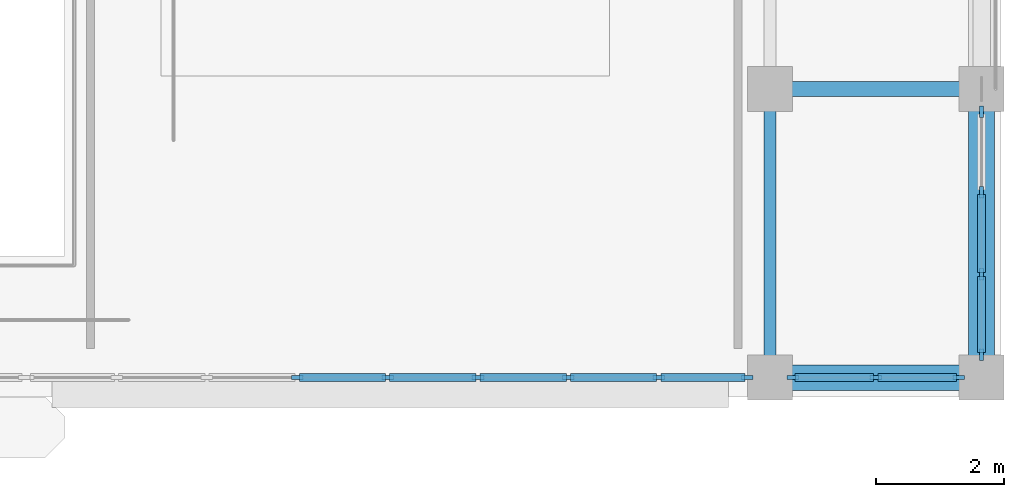
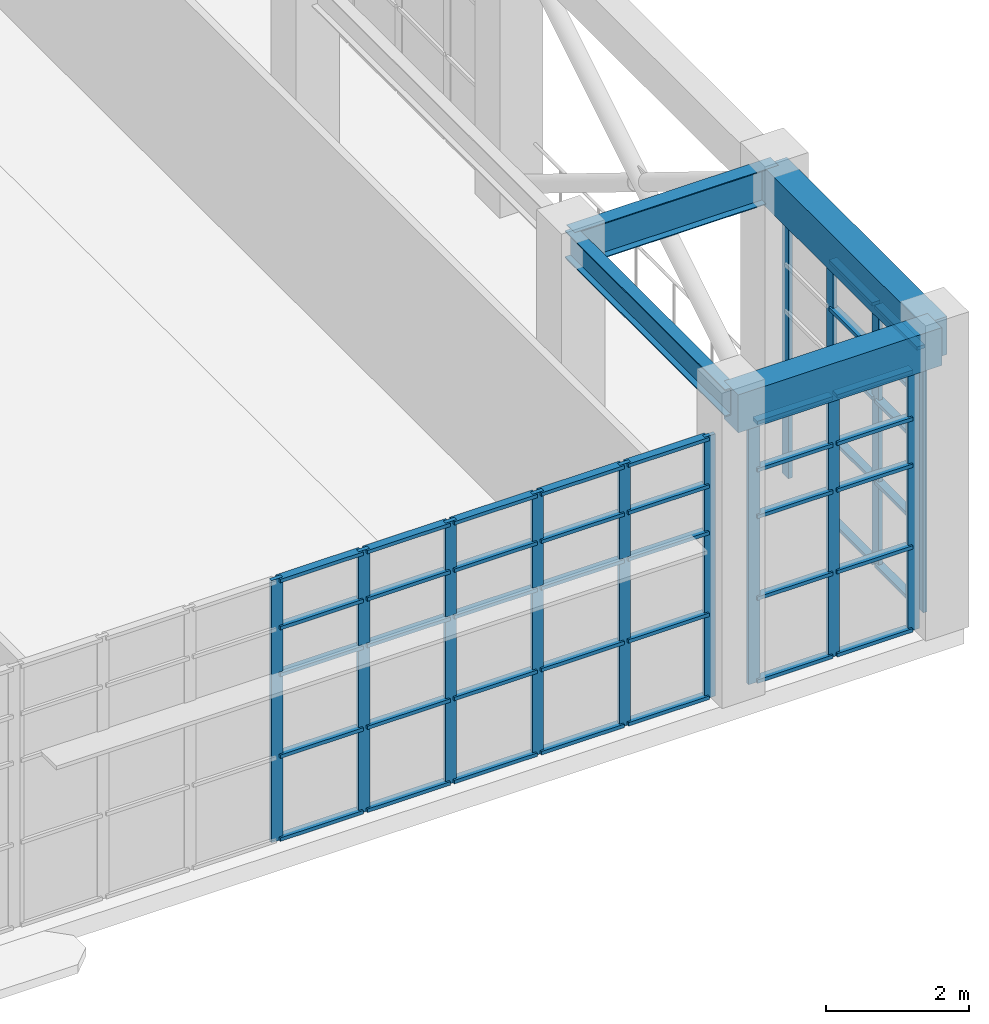
# One storey, part 40 of 103: 58 members, 4 beams, 3 elements without a shape of their own.
"""IFC4 building model written with IfcOpenShell, lengths in metres."""

from ifc_helpers import new_model, si_unit, direction, frame, origin, origin_2d, place, context, subcontext, project, spatial, rectangle, i_section, extrude, material, layer, layer_set, material_profile, profile_set, type_object, element, aggregate, save


model = new_model("IFC4")

# Units and contexts
model_context = context("Model", 3, precision=1e-05, world=origin(), true_north=direction((0.0, 1.0)))
body_context = subcontext(model_context, "Body", "Model", "MODEL_VIEW")
ifc_project = project(units=[si_unit("LENGTHUNIT", "METRE"), si_unit("AREAUNIT", "SQUARE_METRE"), si_unit("VOLUMEUNIT", "CUBIC_METRE"), si_unit("PLANEANGLEUNIT", "RADIAN"), si_unit("MASSUNIT", "GRAM", prefix="KILO")], contexts=[model_context])

# Site, building, storey
site_placement = place(None, origin())
site = spatial("IfcSite", under=ifc_project, at=site_placement, CompositionType="ELEMENT")
building_placement = place(site_placement, origin())
building = spatial("IfcBuilding", under=site, at=building_placement, Name="Candilejo Ridge Gondola Terminal", CompositionType="ELEMENT")
storey_placement = place(building_placement, frame((0.0, 0.0, 9.0)))
storey = spatial("IfcBuildingStorey", under=building, at=storey_placement, Name="L02", CompositionType="ELEMENT", Elevation=9.0)

# Curtain wall, members
ifc_material_1 = material(Name="Anodised aluminium AA 6063-T6", Category="aluminium")
ifc_layer_1 = layer(ifc_material_1, 0.169921875)
ifc_layer_set_1 = layer_set([ifc_layer_1], Name="ARC-CW-HALL-3800-385X449")
curtain_wall_type_1 = type_object("IfcCurtainWallType", Name="ARC-CW-HALL-3800-385X449", PredefinedType="NOTDEFINED", material=ifc_layer_set_1)
curtain_wall_1_placement = place(storey_placement, origin())
curtain_wall_1 = element("IfcCurtainWall", 1, at=curtain_wall_1_placement, inside=storey, type_object=curtain_wall_type_1, Name="Curtain wall V4 L02-133", PredefinedType="NOTDEFINED")
ifc_material_2 = material(Name="Anodised aluminium AA 6063-T6", Category="aluminium")
ifc_material_profile_1 = material_profile(ifc_material_2, rectangle(XDim=0.06494140625, YDim=0.179931640625, at=origin_2d()))
ifc_profile_set_1 = profile_set([ifc_material_profile_1], Name="Anodised aluminium AA 6063-T6")
member_type_1 = type_object("IfcMemberType", Name="ARC-CW-MULLION-180", PredefinedType="MULLION", material=ifc_profile_set_1)
member_1_placement = place(storey_placement, frame((175.300048828125, 6.657470703125, 0.0), z_axis=(0.0, 0.0, 1.0), x_axis=(-1.0, 0.0, 0.0)))
member_1 = element("IfcMember", 2, at=member_1_placement, type_object=member_type_1, Name="CW-38X44 mullion 1", PredefinedType="MULLION", context=body_context, shape_type="SweptSolid", body=[
    extrude(rectangle(XDim=0.06494140625, YDim=0.179931640625, at=origin_2d()), origin(), (0.0, 0.0, 1.0), 4.489990234375),
])
member_2_placement = place(storey_placement, frame((175.300048828125, 7.908447265625, 0.0), z_axis=(0.0, 0.0, 1.0), x_axis=(-1.0, 0.0, 0.0)))
member_2 = element("IfcMember", 3, at=member_2_placement, type_object=member_type_1, Name="CW-38X44 mullion 2", PredefinedType="MULLION", context=body_context, shape_type="SweptSolid", body=[
    extrude(rectangle(XDim=0.06494140625, YDim=0.179931640625, at=origin_2d()), origin(), (0.0, 0.0, 1.0), 4.489990234375),
])
member_3_placement = place(storey_placement, frame((175.300048828125, 9.191650390625, 0.0), z_axis=(0.0, 0.0, 1.0), x_axis=(-1.0, 0.0, 0.0)))
member_3 = element("IfcMember", 4, at=member_3_placement, type_object=member_type_1, Name="CW-38X44 mullion 3", PredefinedType="MULLION", context=body_context, shape_type="SweptSolid", body=[
    extrude(rectangle(XDim=0.06494140625, YDim=0.179931640625, at=origin_2d()), origin(), (0.0, 0.0, 1.0), 4.489990234375),
])
member_4_placement = place(storey_placement, frame((175.300048828125, 10.4423828125, 0.0), z_axis=(0.0, 0.0, 1.0), x_axis=(-1.0, 0.0, 0.0)))
member_4 = element("IfcMember", 5, at=member_4_placement, type_object=member_type_1, Name="CW-38X44 mullion 4", PredefinedType="MULLION", context=body_context, shape_type="SweptSolid", body=[
    extrude(rectangle(XDim=0.06494140625, YDim=0.179931640625, at=origin_2d()), origin(), (0.0, 0.0, 1.0), 4.489990234375),
])

ifc_material_3 = material(Name="Anodised aluminium AA 6063-T6", Category="aluminium")
ifc_layer_2 = layer(ifc_material_3, 0.169921875)
ifc_layer_set_2 = layer_set([ifc_layer_2], Name="ARC-CW-HALL-3800-265X449")
curtain_wall_type_2 = type_object("IfcCurtainWallType", Name="ARC-CW-HALL-3800-265X449", PredefinedType="NOTDEFINED", material=ifc_layer_set_2)
curtain_wall_2_placement = place(storey_placement, origin())
curtain_wall_2 = element("IfcCurtainWall", 6, at=curtain_wall_2_placement, inside=storey, type_object=curtain_wall_type_2, Name="Curtain wall V4 L02-145", PredefinedType="NOTDEFINED")
member_5_placement = place(storey_placement, frame((172.357421875, 6.300048828125, 0.0), z_axis=(0.0, 0.0, 1.0), x_axis=(0.0, 1.0, 0.0)))
member_5 = element("IfcMember", 7, at=member_5_placement, type_object=member_type_1, Name="CW-26X44 mullion 1", PredefinedType="MULLION", context=body_context, shape_type="SweptSolid", body=[
    extrude(rectangle(XDim=0.06494140625, YDim=0.179931640625, at=origin_2d()), origin(), (0.0, 0.0, 1.0), 4.489990234375),
])
member_6_placement = place(storey_placement, frame((173.64990234375, 6.300048828125, 0.0), z_axis=(0.0, 0.0, 1.0), x_axis=(0.0, 1.0, 0.0)))
member_6 = element("IfcMember", 8, at=member_6_placement, type_object=member_type_1, Name="CW-26X44 mullion 2", PredefinedType="MULLION", context=body_context, shape_type="SweptSolid", body=[
    extrude(rectangle(XDim=0.06494140625, YDim=0.179931640625, at=origin_2d()), origin(), (0.0, 0.0, 1.0), 4.489990234375),
])
member_7_placement = place(storey_placement, frame((174.9423828125, 6.300048828125, 0.0), z_axis=(0.0, 0.0, 1.0), x_axis=(0.0, 1.0, 0.0)))
member_7 = element("IfcMember", 9, at=member_7_placement, type_object=member_type_1, Name="CW-26X44 mullion 3", PredefinedType="MULLION", context=body_context, shape_type="SweptSolid", body=[
    extrude(rectangle(XDim=0.06494140625, YDim=0.179931640625, at=origin_2d()), origin(), (0.0, 0.0, 1.0), 4.489990234375),
])

ifc_material_4 = material(Name="Anodised aluminium AA 6063-T6", Category="aluminium")
ifc_layer_3 = layer(ifc_material_4, 0.169921875)
ifc_layer_set_3 = layer_set([ifc_layer_3], Name="ARC-CW-HALL-3800-1128X449")
curtain_wall_type_3 = type_object("IfcCurtainWallType", Name="ARC-CW-HALL-3800-1128X449", PredefinedType="NOTDEFINED", material=ifc_layer_set_3)
curtain_wall_3_placement = place(storey_placement, origin())
curtain_wall_3 = element("IfcCurtainWall", 10, at=curtain_wall_3_placement, inside=storey, type_object=curtain_wall_type_3, Name="Curtain wall V4 L02-148", PredefinedType="NOTDEFINED")
member_8_placement = place(storey_placement, frame((164.628173828125, 6.300048828125, 0.0), z_axis=(0.0, 0.0, 1.0), x_axis=(0.0, 1.0, 0.0)))
member_8 = element("IfcMember", 11, at=member_8_placement, type_object=member_type_1, Name="CW-112X44 mullion 4", PredefinedType="MULLION", context=body_context, shape_type="SweptSolid", body=[
    extrude(rectangle(XDim=0.06494140625, YDim=0.179931640625, at=origin_2d()), origin(), (0.0, 0.0, 1.0), 4.489990234375),
])
member_9_placement = place(storey_placement, frame((166.03759765625, 6.300048828125, 0.0), z_axis=(0.0, 0.0, 1.0), x_axis=(0.0, 1.0, 0.0)))
member_9 = element("IfcMember", 12, at=member_9_placement, type_object=member_type_1, Name="CW-112X44 mullion 5", PredefinedType="MULLION", context=body_context, shape_type="SweptSolid", body=[
    extrude(rectangle(XDim=0.06494140625, YDim=0.179931640625, at=origin_2d()), origin(), (0.0, 0.0, 1.0), 4.489990234375),
])
member_10_placement = place(storey_placement, frame((167.44677734375, 6.300048828125, 0.0), z_axis=(0.0, 0.0, 1.0), x_axis=(0.0, 1.0, 0.0)))
member_10 = element("IfcMember", 13, at=member_10_placement, type_object=member_type_1, Name="CW-112X44 mullion 6", PredefinedType="MULLION", context=body_context, shape_type="SweptSolid", body=[
    extrude(rectangle(XDim=0.06494140625, YDim=0.179931640625, at=origin_2d()), origin(), (0.0, 0.0, 1.0), 4.489990234375),
])
member_11_placement = place(storey_placement, frame((168.856201171875, 6.300048828125, 0.0), z_axis=(0.0, 0.0, 1.0), x_axis=(0.0, 1.0, 0.0)))
member_11 = element("IfcMember", 14, at=member_11_placement, type_object=member_type_1, Name="CW-112X44 mullion 7", PredefinedType="MULLION", context=body_context, shape_type="SweptSolid", body=[
    extrude(rectangle(XDim=0.06494140625, YDim=0.179931640625, at=origin_2d()), origin(), (0.0, 0.0, 1.0), 4.489990234375),
])
member_12_placement = place(storey_placement, frame((170.265625, 6.300048828125, 0.0), z_axis=(0.0, 0.0, 1.0), x_axis=(0.0, 1.0, 0.0)))
member_12 = element("IfcMember", 15, at=member_12_placement, type_object=member_type_1, Name="CW-112X44 mullion 8", PredefinedType="MULLION", context=body_context, shape_type="SweptSolid", body=[
    extrude(rectangle(XDim=0.06494140625, YDim=0.179931640625, at=origin_2d()), origin(), (0.0, 0.0, 1.0), 4.489990234375),
])
member_13_placement = place(storey_placement, frame((171.642578125, 6.300048828125, 0.0), z_axis=(0.0, 0.0, 1.0), x_axis=(0.0, 1.0, 0.0)))
member_13 = element("IfcMember", 16, at=member_13_placement, type_object=member_type_1, Name="CW-112X44 mullion 9", PredefinedType="MULLION", context=body_context, shape_type="SweptSolid", body=[
    extrude(rectangle(XDim=0.06494140625, YDim=0.179931640625, at=origin_2d()), origin(), (0.0, 0.0, 1.0), 4.489990234375),
])

# Member
ifc_material_5 = material(Name="Anodised aluminium AA 6063-T6", Category="aluminium")
ifc_material_profile_2 = material_profile(ifc_material_5, rectangle(XDim=0.1298828125, YDim=0.06005859375, at=origin_2d()))
ifc_profile_set_2 = profile_set([ifc_material_profile_2], Name="Anodised aluminium AA 6063-T6")
member_type_2 = type_object("IfcMemberType", Name="ARC-CW-TRANSOM-130", PredefinedType="USERDEFINED", material=ifc_profile_set_2)
member_14_placement = place(storey_placement, frame((175.300048828125, 6.68994140625, 0.030029296875), z_axis=(0.0, 1.0, 0.0), x_axis=(-1.0, 0.0, 0.0)))
member_14 = element("IfcMember", 17, at=member_14_placement, type_object=member_type_2, Name="CW-38X44 transom 1.1", ObjectType="TRANSOM", PredefinedType="USERDEFINED", context=body_context, shape_type="SweptSolid", body=[
    extrude(rectangle(XDim=0.1298828125, YDim=0.06005859375, at=origin_2d()), origin(), (0.0, 0.0, 1.0), 1.185791015625),
])

member_15_placement = place(storey_placement, frame((175.300048828125, 6.68994140625, 1.449951171875), z_axis=(0.0, 1.0, 0.0), x_axis=(-1.0, 0.0, 0.0)))
member_15 = element("IfcMember", 18, at=member_15_placement, type_object=member_type_2, Name="CW-38X44 transom 1.2", ObjectType="TRANSOM", PredefinedType="USERDEFINED", context=body_context, shape_type="SweptSolid", body=[
    extrude(rectangle(XDim=0.1298828125, YDim=0.06005859375, at=origin_2d()), origin(), (0.0, 0.0, 1.0), 1.185791015625),
])

member_16_placement = place(storey_placement, frame((175.300048828125, 6.68994140625, 2.85009765625), z_axis=(0.0, 1.0, 0.0), x_axis=(-1.0, 0.0, 0.0)))
member_16 = element("IfcMember", 19, at=member_16_placement, type_object=member_type_2, Name="CW-38X44 transom 1.3", ObjectType="TRANSOM", PredefinedType="USERDEFINED", context=body_context, shape_type="SweptSolid", body=[
    extrude(rectangle(XDim=0.1298828125, YDim=0.06005859375, at=origin_2d()), origin(), (0.0, 0.0, 1.0), 1.185791015625),
])

member_17_placement = place(storey_placement, frame((175.300048828125, 6.68994140625, 3.64990234375), z_axis=(0.0, 1.0, 0.0), x_axis=(-1.0, 0.0, 0.0)))
member_17 = element("IfcMember", 20, at=member_17_placement, type_object=member_type_2, Name="CW-38X44 transom 1.4", ObjectType="TRANSOM", PredefinedType="USERDEFINED", context=body_context, shape_type="SweptSolid", body=[
    extrude(rectangle(XDim=0.1298828125, YDim=0.06005859375, at=origin_2d()), origin(), (0.0, 0.0, 1.0), 1.185791015625),
])

member_18_placement = place(storey_placement, frame((175.300048828125, 6.68994140625, 4.4599609375), z_axis=(0.0, 1.0, 0.0), x_axis=(-1.0, 0.0, 0.0)))
member_18 = element("IfcMember", 21, at=member_18_placement, type_object=member_type_2, Name="CW-38X44 transom 1.5", ObjectType="TRANSOM", PredefinedType="USERDEFINED", context=body_context, shape_type="SweptSolid", body=[
    extrude(rectangle(XDim=0.1298828125, YDim=0.06005859375, at=origin_2d()), origin(), (0.0, 0.0, 1.0), 1.185791015625),
])

member_19_placement = place(storey_placement, frame((175.300048828125, 7.94091796875, 0.030029296875), z_axis=(0.0, 1.0, 0.0), x_axis=(-1.0, 0.0, 0.0)))
member_19 = element("IfcMember", 22, at=member_19_placement, type_object=member_type_2, Name="CW-38X44 transom 2.1", ObjectType="TRANSOM", PredefinedType="USERDEFINED", context=body_context, shape_type="SweptSolid", body=[
    extrude(rectangle(XDim=0.1298828125, YDim=0.06005859375, at=origin_2d()), origin(), (0.0, 0.0, 1.0), 1.21826171875),
])

member_20_placement = place(storey_placement, frame((175.300048828125, 7.94091796875, 1.449951171875), z_axis=(0.0, 1.0, 0.0), x_axis=(-1.0, 0.0, 0.0)))
member_20 = element("IfcMember", 23, at=member_20_placement, type_object=member_type_2, Name="CW-38X44 transom 2.2", ObjectType="TRANSOM", PredefinedType="USERDEFINED", context=body_context, shape_type="SweptSolid", body=[
    extrude(rectangle(XDim=0.1298828125, YDim=0.06005859375, at=origin_2d()), origin(), (0.0, 0.0, 1.0), 1.21826171875),
])

member_21_placement = place(storey_placement, frame((175.300048828125, 7.94091796875, 2.85009765625), z_axis=(0.0, 1.0, 0.0), x_axis=(-1.0, 0.0, 0.0)))
member_21 = element("IfcMember", 24, at=member_21_placement, type_object=member_type_2, Name="CW-38X44 transom 2.3", ObjectType="TRANSOM", PredefinedType="USERDEFINED", context=body_context, shape_type="SweptSolid", body=[
    extrude(rectangle(XDim=0.1298828125, YDim=0.06005859375, at=origin_2d()), origin(), (0.0, 0.0, 1.0), 1.21826171875),
])

member_22_placement = place(storey_placement, frame((175.300048828125, 7.94091796875, 3.64990234375), z_axis=(0.0, 1.0, 0.0), x_axis=(-1.0, 0.0, 0.0)))
member_22 = element("IfcMember", 25, at=member_22_placement, type_object=member_type_2, Name="CW-38X44 transom 2.4", ObjectType="TRANSOM", PredefinedType="USERDEFINED", context=body_context, shape_type="SweptSolid", body=[
    extrude(rectangle(XDim=0.1298828125, YDim=0.06005859375, at=origin_2d()), origin(), (0.0, 0.0, 1.0), 1.21826171875),
])

member_23_placement = place(storey_placement, frame((175.300048828125, 7.94091796875, 4.4599609375), z_axis=(0.0, 1.0, 0.0), x_axis=(-1.0, 0.0, 0.0)))
member_23 = element("IfcMember", 26, at=member_23_placement, type_object=member_type_2, Name="CW-38X44 transom 2.5", ObjectType="TRANSOM", PredefinedType="USERDEFINED", context=body_context, shape_type="SweptSolid", body=[
    extrude(rectangle(XDim=0.1298828125, YDim=0.06005859375, at=origin_2d()), origin(), (0.0, 0.0, 1.0), 1.21826171875),
])

aggregate(curtain_wall_1, [member_1, member_2, member_3, member_4, member_14, member_15, member_16, member_17, member_18, member_19, member_20, member_21, member_22, member_23])

member_24_placement = place(storey_placement, frame((172.389892578125, 6.300048828125, 0.030029296875), z_axis=(1.0, 0.0, 0.0), x_axis=(0.0, 1.0, 0.0)))
member_24 = element("IfcMember", 27, at=member_24_placement, type_object=member_type_2, Name="CW-26X44 transom 1.1", ObjectType="TRANSOM", PredefinedType="USERDEFINED", context=body_context, shape_type="SweptSolid", body=[
    extrude(rectangle(XDim=0.1298828125, YDim=0.06005859375, at=origin_2d()), origin(), (0.0, 0.0, 1.0), 1.2275390625),
])

member_25_placement = place(storey_placement, frame((172.389892578125, 6.300048828125, 1.449951171875), z_axis=(1.0, 0.0, 0.0), x_axis=(0.0, 1.0, 0.0)))
member_25 = element("IfcMember", 28, at=member_25_placement, type_object=member_type_2, Name="CW-26X44 transom 1.2", ObjectType="TRANSOM", PredefinedType="USERDEFINED", context=body_context, shape_type="SweptSolid", body=[
    extrude(rectangle(XDim=0.1298828125, YDim=0.06005859375, at=origin_2d()), origin(), (0.0, 0.0, 1.0), 1.2275390625),
])

member_26_placement = place(storey_placement, frame((172.389892578125, 6.300048828125, 2.85009765625), z_axis=(1.0, 0.0, 0.0), x_axis=(0.0, 1.0, 0.0)))
member_26 = element("IfcMember", 29, at=member_26_placement, type_object=member_type_2, Name="CW-26X44 transom 1.3", ObjectType="TRANSOM", PredefinedType="USERDEFINED", context=body_context, shape_type="SweptSolid", body=[
    extrude(rectangle(XDim=0.1298828125, YDim=0.06005859375, at=origin_2d()), origin(), (0.0, 0.0, 1.0), 1.2275390625),
])

member_27_placement = place(storey_placement, frame((172.389892578125, 6.300048828125, 3.64990234375), z_axis=(1.0, 0.0, 0.0), x_axis=(0.0, 1.0, 0.0)))
member_27 = element("IfcMember", 30, at=member_27_placement, type_object=member_type_2, Name="CW-26X44 transom 1.4", ObjectType="TRANSOM", PredefinedType="USERDEFINED", context=body_context, shape_type="SweptSolid", body=[
    extrude(rectangle(XDim=0.1298828125, YDim=0.06005859375, at=origin_2d()), origin(), (0.0, 0.0, 1.0), 1.2275390625),
])

member_28_placement = place(storey_placement, frame((172.389892578125, 6.300048828125, 4.4599609375), z_axis=(1.0, 0.0, 0.0), x_axis=(0.0, 1.0, 0.0)))
member_28 = element("IfcMember", 31, at=member_28_placement, type_object=member_type_2, Name="CW-26X44 transom 1.5", ObjectType="TRANSOM", PredefinedType="USERDEFINED", context=body_context, shape_type="SweptSolid", body=[
    extrude(rectangle(XDim=0.1298828125, YDim=0.06005859375, at=origin_2d()), origin(), (0.0, 0.0, 1.0), 1.2275390625),
])

member_29_placement = place(storey_placement, frame((173.6826171875, 6.300048828125, 0.030029296875), z_axis=(1.0, 0.0, 0.0), x_axis=(0.0, 1.0, 0.0)))
member_29 = element("IfcMember", 32, at=member_29_placement, type_object=member_type_2, Name="CW-26X44 transom 2.1", ObjectType="TRANSOM", PredefinedType="USERDEFINED", context=body_context, shape_type="SweptSolid", body=[
    extrude(rectangle(XDim=0.1298828125, YDim=0.06005859375, at=origin_2d()), origin(), (0.0, 0.0, 1.0), 1.227294921875),
])

member_30_placement = place(storey_placement, frame((173.6826171875, 6.300048828125, 1.449951171875), z_axis=(1.0, 0.0, 0.0), x_axis=(0.0, 1.0, 0.0)))
member_30 = element("IfcMember", 33, at=member_30_placement, type_object=member_type_2, Name="CW-26X44 transom 2.2", ObjectType="TRANSOM", PredefinedType="USERDEFINED", context=body_context, shape_type="SweptSolid", body=[
    extrude(rectangle(XDim=0.1298828125, YDim=0.06005859375, at=origin_2d()), origin(), (0.0, 0.0, 1.0), 1.227294921875),
])

member_31_placement = place(storey_placement, frame((173.6826171875, 6.300048828125, 2.85009765625), z_axis=(1.0, 0.0, 0.0), x_axis=(0.0, 1.0, 0.0)))
member_31 = element("IfcMember", 34, at=member_31_placement, type_object=member_type_2, Name="CW-26X44 transom 2.3", ObjectType="TRANSOM", PredefinedType="USERDEFINED", context=body_context, shape_type="SweptSolid", body=[
    extrude(rectangle(XDim=0.1298828125, YDim=0.06005859375, at=origin_2d()), origin(), (0.0, 0.0, 1.0), 1.227294921875),
])

member_32_placement = place(storey_placement, frame((173.6826171875, 6.300048828125, 3.64990234375), z_axis=(1.0, 0.0, 0.0), x_axis=(0.0, 1.0, 0.0)))
member_32 = element("IfcMember", 35, at=member_32_placement, type_object=member_type_2, Name="CW-26X44 transom 2.4", ObjectType="TRANSOM", PredefinedType="USERDEFINED", context=body_context, shape_type="SweptSolid", body=[
    extrude(rectangle(XDim=0.1298828125, YDim=0.06005859375, at=origin_2d()), origin(), (0.0, 0.0, 1.0), 1.227294921875),
])

member_33_placement = place(storey_placement, frame((173.6826171875, 6.300048828125, 4.4599609375), z_axis=(1.0, 0.0, 0.0), x_axis=(0.0, 1.0, 0.0)))
member_33 = element("IfcMember", 36, at=member_33_placement, type_object=member_type_2, Name="CW-26X44 transom 2.5", ObjectType="TRANSOM", PredefinedType="USERDEFINED", context=body_context, shape_type="SweptSolid", body=[
    extrude(rectangle(XDim=0.1298828125, YDim=0.06005859375, at=origin_2d()), origin(), (0.0, 0.0, 1.0), 1.227294921875),
])

aggregate(curtain_wall_2, [member_5, member_6, member_7, member_24, member_25, member_26, member_27, member_28, member_29, member_30, member_31, member_32, member_33])

member_34_placement = place(storey_placement, frame((164.66064453125, 6.300048828125, 0.030029296875), z_axis=(1.0, 0.0, 0.0), x_axis=(0.0, 1.0, 0.0)))
member_34 = element("IfcMember", 37, at=member_34_placement, type_object=member_type_2, Name="CW-112X44 transom 4.1", ObjectType="TRANSOM", PredefinedType="USERDEFINED", context=body_context, shape_type="SweptSolid", body=[
    extrude(rectangle(XDim=0.1298828125, YDim=0.06005859375, at=origin_2d()), origin(), (0.0, 0.0, 1.0), 1.34423828125),
])

member_35_placement = place(storey_placement, frame((164.66064453125, 6.300048828125, 1.449951171875), z_axis=(1.0, 0.0, 0.0), x_axis=(0.0, 1.0, 0.0)))
member_35 = element("IfcMember", 38, at=member_35_placement, type_object=member_type_2, Name="CW-112X44 transom 4.2", ObjectType="TRANSOM", PredefinedType="USERDEFINED", context=body_context, shape_type="SweptSolid", body=[
    extrude(rectangle(XDim=0.1298828125, YDim=0.06005859375, at=origin_2d()), origin(), (0.0, 0.0, 1.0), 1.34423828125),
])

member_36_placement = place(storey_placement, frame((164.66064453125, 6.300048828125, 2.85009765625), z_axis=(1.0, 0.0, 0.0), x_axis=(0.0, 1.0, 0.0)))
member_36 = element("IfcMember", 39, at=member_36_placement, type_object=member_type_2, Name="CW-112X44 transom 4.3", ObjectType="TRANSOM", PredefinedType="USERDEFINED", context=body_context, shape_type="SweptSolid", body=[
    extrude(rectangle(XDim=0.1298828125, YDim=0.06005859375, at=origin_2d()), origin(), (0.0, 0.0, 1.0), 1.34423828125),
])

member_37_placement = place(storey_placement, frame((164.66064453125, 6.300048828125, 3.64990234375), z_axis=(1.0, 0.0, 0.0), x_axis=(0.0, 1.0, 0.0)))
member_37 = element("IfcMember", 40, at=member_37_placement, type_object=member_type_2, Name="CW-112X44 transom 4.4", ObjectType="TRANSOM", PredefinedType="USERDEFINED", context=body_context, shape_type="SweptSolid", body=[
    extrude(rectangle(XDim=0.1298828125, YDim=0.06005859375, at=origin_2d()), origin(), (0.0, 0.0, 1.0), 1.34423828125),
])

member_38_placement = place(storey_placement, frame((164.66064453125, 6.300048828125, 4.4599609375), z_axis=(1.0, 0.0, 0.0), x_axis=(0.0, 1.0, 0.0)))
member_38 = element("IfcMember", 41, at=member_38_placement, type_object=member_type_2, Name="CW-112X44 transom 4.5", ObjectType="TRANSOM", PredefinedType="USERDEFINED", context=body_context, shape_type="SweptSolid", body=[
    extrude(rectangle(XDim=0.1298828125, YDim=0.06005859375, at=origin_2d()), origin(), (0.0, 0.0, 1.0), 1.34423828125),
])

member_39_placement = place(storey_placement, frame((166.070068359375, 6.300048828125, 0.030029296875), z_axis=(1.0, 0.0, 0.0), x_axis=(0.0, 1.0, 0.0)))
member_39 = element("IfcMember", 42, at=member_39_placement, type_object=member_type_2, Name="CW-112X44 transom 5.1", ObjectType="TRANSOM", PredefinedType="USERDEFINED", context=body_context, shape_type="SweptSolid", body=[
    extrude(rectangle(XDim=0.1298828125, YDim=0.06005859375, at=origin_2d()), origin(), (0.0, 0.0, 1.0), 1.34423828125),
])

member_40_placement = place(storey_placement, frame((166.070068359375, 6.300048828125, 1.449951171875), z_axis=(1.0, 0.0, 0.0), x_axis=(0.0, 1.0, 0.0)))
member_40 = element("IfcMember", 43, at=member_40_placement, type_object=member_type_2, Name="CW-112X44 transom 5.2", ObjectType="TRANSOM", PredefinedType="USERDEFINED", context=body_context, shape_type="SweptSolid", body=[
    extrude(rectangle(XDim=0.1298828125, YDim=0.06005859375, at=origin_2d()), origin(), (0.0, 0.0, 1.0), 1.34423828125),
])

member_41_placement = place(storey_placement, frame((166.070068359375, 6.300048828125, 2.85009765625), z_axis=(1.0, 0.0, 0.0), x_axis=(0.0, 1.0, 0.0)))
member_41 = element("IfcMember", 44, at=member_41_placement, type_object=member_type_2, Name="CW-112X44 transom 5.3", ObjectType="TRANSOM", PredefinedType="USERDEFINED", context=body_context, shape_type="SweptSolid", body=[
    extrude(rectangle(XDim=0.1298828125, YDim=0.06005859375, at=origin_2d()), origin(), (0.0, 0.0, 1.0), 1.34423828125),
])

member_42_placement = place(storey_placement, frame((166.070068359375, 6.300048828125, 3.64990234375), z_axis=(1.0, 0.0, 0.0), x_axis=(0.0, 1.0, 0.0)))
member_42 = element("IfcMember", 45, at=member_42_placement, type_object=member_type_2, Name="CW-112X44 transom 5.4", ObjectType="TRANSOM", PredefinedType="USERDEFINED", context=body_context, shape_type="SweptSolid", body=[
    extrude(rectangle(XDim=0.1298828125, YDim=0.06005859375, at=origin_2d()), origin(), (0.0, 0.0, 1.0), 1.34423828125),
])

member_43_placement = place(storey_placement, frame((166.070068359375, 6.300048828125, 4.4599609375), z_axis=(1.0, 0.0, 0.0), x_axis=(0.0, 1.0, 0.0)))
member_43 = element("IfcMember", 46, at=member_43_placement, type_object=member_type_2, Name="CW-112X44 transom 5.5", ObjectType="TRANSOM", PredefinedType="USERDEFINED", context=body_context, shape_type="SweptSolid", body=[
    extrude(rectangle(XDim=0.1298828125, YDim=0.06005859375, at=origin_2d()), origin(), (0.0, 0.0, 1.0), 1.34423828125),
])

member_44_placement = place(storey_placement, frame((167.4794921875, 6.300048828125, 0.030029296875), z_axis=(1.0, 0.0, 0.0), x_axis=(0.0, 1.0, 0.0)))
member_44 = element("IfcMember", 47, at=member_44_placement, type_object=member_type_2, Name="CW-112X44 transom 6.1", ObjectType="TRANSOM", PredefinedType="USERDEFINED", context=body_context, shape_type="SweptSolid", body=[
    extrude(rectangle(XDim=0.1298828125, YDim=0.06005859375, at=origin_2d()), origin(), (0.0, 0.0, 1.0), 1.34423828125),
])

member_45_placement = place(storey_placement, frame((167.4794921875, 6.300048828125, 1.449951171875), z_axis=(1.0, 0.0, 0.0), x_axis=(0.0, 1.0, 0.0)))
member_45 = element("IfcMember", 48, at=member_45_placement, type_object=member_type_2, Name="CW-112X44 transom 6.2", ObjectType="TRANSOM", PredefinedType="USERDEFINED", context=body_context, shape_type="SweptSolid", body=[
    extrude(rectangle(XDim=0.1298828125, YDim=0.06005859375, at=origin_2d()), origin(), (0.0, 0.0, 1.0), 1.34423828125),
])

member_46_placement = place(storey_placement, frame((167.4794921875, 6.300048828125, 2.85009765625), z_axis=(1.0, 0.0, 0.0), x_axis=(0.0, 1.0, 0.0)))
member_46 = element("IfcMember", 49, at=member_46_placement, type_object=member_type_2, Name="CW-112X44 transom 6.3", ObjectType="TRANSOM", PredefinedType="USERDEFINED", context=body_context, shape_type="SweptSolid", body=[
    extrude(rectangle(XDim=0.1298828125, YDim=0.06005859375, at=origin_2d()), origin(), (0.0, 0.0, 1.0), 1.34423828125),
])

member_47_placement = place(storey_placement, frame((167.4794921875, 6.300048828125, 3.64990234375), z_axis=(1.0, 0.0, 0.0), x_axis=(0.0, 1.0, 0.0)))
member_47 = element("IfcMember", 50, at=member_47_placement, type_object=member_type_2, Name="CW-112X44 transom 6.4", ObjectType="TRANSOM", PredefinedType="USERDEFINED", context=body_context, shape_type="SweptSolid", body=[
    extrude(rectangle(XDim=0.1298828125, YDim=0.06005859375, at=origin_2d()), origin(), (0.0, 0.0, 1.0), 1.34423828125),
])

member_48_placement = place(storey_placement, frame((167.4794921875, 6.300048828125, 4.4599609375), z_axis=(1.0, 0.0, 0.0), x_axis=(0.0, 1.0, 0.0)))
member_48 = element("IfcMember", 51, at=member_48_placement, type_object=member_type_2, Name="CW-112X44 transom 6.5", ObjectType="TRANSOM", PredefinedType="USERDEFINED", context=body_context, shape_type="SweptSolid", body=[
    extrude(rectangle(XDim=0.1298828125, YDim=0.06005859375, at=origin_2d()), origin(), (0.0, 0.0, 1.0), 1.34423828125),
])

member_49_placement = place(storey_placement, frame((168.888671875, 6.300048828125, 0.030029296875), z_axis=(1.0, 0.0, 0.0), x_axis=(0.0, 1.0, 0.0)))
member_49 = element("IfcMember", 52, at=member_49_placement, type_object=member_type_2, Name="CW-112X44 transom 7.1", ObjectType="TRANSOM", PredefinedType="USERDEFINED", context=body_context, shape_type="SweptSolid", body=[
    extrude(rectangle(XDim=0.1298828125, YDim=0.06005859375, at=origin_2d()), origin(), (0.0, 0.0, 1.0), 1.344482421875),
])

member_50_placement = place(storey_placement, frame((168.888671875, 6.300048828125, 1.449951171875), z_axis=(1.0, 0.0, 0.0), x_axis=(0.0, 1.0, 0.0)))
member_50 = element("IfcMember", 53, at=member_50_placement, type_object=member_type_2, Name="CW-112X44 transom 7.2", ObjectType="TRANSOM", PredefinedType="USERDEFINED", context=body_context, shape_type="SweptSolid", body=[
    extrude(rectangle(XDim=0.1298828125, YDim=0.06005859375, at=origin_2d()), origin(), (0.0, 0.0, 1.0), 1.344482421875),
])

member_51_placement = place(storey_placement, frame((168.888671875, 6.300048828125, 2.85009765625), z_axis=(1.0, 0.0, 0.0), x_axis=(0.0, 1.0, 0.0)))
member_51 = element("IfcMember", 54, at=member_51_placement, type_object=member_type_2, Name="CW-112X44 transom 7.3", ObjectType="TRANSOM", PredefinedType="USERDEFINED", context=body_context, shape_type="SweptSolid", body=[
    extrude(rectangle(XDim=0.1298828125, YDim=0.06005859375, at=origin_2d()), origin(), (0.0, 0.0, 1.0), 1.344482421875),
])

member_52_placement = place(storey_placement, frame((168.888671875, 6.300048828125, 3.64990234375), z_axis=(1.0, 0.0, 0.0), x_axis=(0.0, 1.0, 0.0)))
member_52 = element("IfcMember", 55, at=member_52_placement, type_object=member_type_2, Name="CW-112X44 transom 7.4", ObjectType="TRANSOM", PredefinedType="USERDEFINED", context=body_context, shape_type="SweptSolid", body=[
    extrude(rectangle(XDim=0.1298828125, YDim=0.06005859375, at=origin_2d()), origin(), (0.0, 0.0, 1.0), 1.344482421875),
])

member_53_placement = place(storey_placement, frame((168.888671875, 6.300048828125, 4.4599609375), z_axis=(1.0, 0.0, 0.0), x_axis=(0.0, 1.0, 0.0)))
member_53 = element("IfcMember", 56, at=member_53_placement, type_object=member_type_2, Name="CW-112X44 transom 7.5", ObjectType="TRANSOM", PredefinedType="USERDEFINED", context=body_context, shape_type="SweptSolid", body=[
    extrude(rectangle(XDim=0.1298828125, YDim=0.06005859375, at=origin_2d()), origin(), (0.0, 0.0, 1.0), 1.344482421875),
])

member_54_placement = place(storey_placement, frame((170.298095703125, 6.300048828125, 0.030029296875), z_axis=(1.0, 0.0, 0.0), x_axis=(0.0, 1.0, 0.0)))
member_54 = element("IfcMember", 57, at=member_54_placement, type_object=member_type_2, Name="CW-112X44 transom 8.1", ObjectType="TRANSOM", PredefinedType="USERDEFINED", context=body_context, shape_type="SweptSolid", body=[
    extrude(rectangle(XDim=0.1298828125, YDim=0.06005859375, at=origin_2d()), origin(), (0.0, 0.0, 1.0), 1.31201171875),
])

member_55_placement = place(storey_placement, frame((170.298095703125, 6.300048828125, 1.449951171875), z_axis=(1.0, 0.0, 0.0), x_axis=(0.0, 1.0, 0.0)))
member_55 = element("IfcMember", 58, at=member_55_placement, type_object=member_type_2, Name="CW-112X44 transom 8.2", ObjectType="TRANSOM", PredefinedType="USERDEFINED", context=body_context, shape_type="SweptSolid", body=[
    extrude(rectangle(XDim=0.1298828125, YDim=0.06005859375, at=origin_2d()), origin(), (0.0, 0.0, 1.0), 1.31201171875),
])

member_56_placement = place(storey_placement, frame((170.298095703125, 6.300048828125, 2.85009765625), z_axis=(1.0, 0.0, 0.0), x_axis=(0.0, 1.0, 0.0)))
member_56 = element("IfcMember", 59, at=member_56_placement, type_object=member_type_2, Name="CW-112X44 transom 8.3", ObjectType="TRANSOM", PredefinedType="USERDEFINED", context=body_context, shape_type="SweptSolid", body=[
    extrude(rectangle(XDim=0.1298828125, YDim=0.06005859375, at=origin_2d()), origin(), (0.0, 0.0, 1.0), 1.31201171875),
])

member_57_placement = place(storey_placement, frame((170.298095703125, 6.300048828125, 3.64990234375), z_axis=(1.0, 0.0, 0.0), x_axis=(0.0, 1.0, 0.0)))
member_57 = element("IfcMember", 60, at=member_57_placement, type_object=member_type_2, Name="CW-112X44 transom 8.4", ObjectType="TRANSOM", PredefinedType="USERDEFINED", context=body_context, shape_type="SweptSolid", body=[
    extrude(rectangle(XDim=0.1298828125, YDim=0.06005859375, at=origin_2d()), origin(), (0.0, 0.0, 1.0), 1.31201171875),
])

member_58_placement = place(storey_placement, frame((170.298095703125, 6.300048828125, 4.4599609375), z_axis=(1.0, 0.0, 0.0), x_axis=(0.0, 1.0, 0.0)))
member_58 = element("IfcMember", 61, at=member_58_placement, type_object=member_type_2, Name="CW-112X44 transom 8.5", ObjectType="TRANSOM", PredefinedType="USERDEFINED", context=body_context, shape_type="SweptSolid", body=[
    extrude(rectangle(XDim=0.1298828125, YDim=0.06005859375, at=origin_2d()), origin(), (0.0, 0.0, 1.0), 1.31201171875),
])

aggregate(curtain_wall_3, [member_8, member_9, member_10, member_11, member_12, member_13, member_34, member_35, member_36, member_37, member_38, member_39, member_40, member_41, member_42, member_43, member_44, member_45, member_46, member_47, member_48, member_49, member_50, member_51, member_52, member_53, member_54, member_55, member_56, member_57, member_58])

# Beams
ifc_material_6 = material(Name="Steel ASTM A992 Grade 50", Category="steel")
ifc_material_profile_3 = material_profile(ifc_material_6, i_section(OverallWidth=0.19189453125, OverallDepth=0.462890625, WebThickness=0.010498046875, FlangeThickness=0.017578125, at=origin_2d()))
ifc_profile_set_3 = profile_set([ifc_material_profile_3], Name="Steel ASTM A992 Grade 50")
beam_type_1 = type_object("IfcBeamType", Name="STR-BM-W460X89", PredefinedType="BEAM", material=ifc_profile_set_3)
beam_1_placement = place(storey_placement, frame((172.0, 6.300048828125, 4.928466796875), z_axis=(0.0, 1.0, 0.0), x_axis=(-1.0, 0.0, 0.0)))
element("IfcBeam", 62, at=beam_1_placement, inside=storey, type_object=beam_type_1, Name="Beam Y V4 L02 Y01-Y02@X26", PredefinedType="BEAM", context=body_context, shape_type="SweptSolid", body=[
    extrude(i_section(OverallWidth=0.19189453125, OverallDepth=0.462890625, WebThickness=0.010498046875, FlangeThickness=0.017578125, at=origin_2d()), origin(), (0.0, 0.0, 1.0), 4.5),
])
ifc_material_7 = material(Name="Steel ASTM A992 Grade 50", Category="steel")
ifc_material_profile_4 = material_profile(ifc_material_7, i_section(OverallWidth=0.22802734375, OverallDepth=0.60302734375, WebThickness=0.010498046875, FlangeThickness=0.014892578125, at=origin_2d()))
ifc_profile_set_4 = profile_set([ifc_material_profile_4], Name="Steel ASTM A992 Grade 50")
beam_type_2 = type_object("IfcBeamType", Name="STR-BM-W610X101", PredefinedType="BEAM", material=ifc_profile_set_4)
beam_2_placement = place(storey_placement, frame((172.0, 10.800048828125, 4.8583984375), z_axis=(1.0, 0.0, 0.0), x_axis=(0.0, 1.0, 0.0)))
element("IfcBeam", 63, at=beam_2_placement, inside=storey, type_object=beam_type_2, Name="Beam X V4 L02 X26-X27@Y02", PredefinedType="BEAM", context=body_context, shape_type="SweptSolid", body=[
    extrude(i_section(OverallWidth=0.22802734375, OverallDepth=0.60302734375, WebThickness=0.010498046875, FlangeThickness=0.014892578125, at=origin_2d()), origin(), (0.0, 0.0, 1.0), 3.300048828125),
])
ifc_material_8 = material(Name="Concrete f'c 35 MPa (C35/45)", Category="concrete")
ifc_material_profile_5 = material_profile(ifc_material_8, rectangle(XDim=0.39990234375, YDim=0.64990234375, at=origin_2d()))
ifc_profile_set_5 = profile_set([ifc_material_profile_5], Name="Concrete f'c 35 MPa (C35/45)")
beam_type_3 = type_object("IfcBeamType", Name="STR-SPN-RC400X650", PredefinedType="SPANDREL", material=ifc_profile_set_5)
beam_3_placement = place(storey_placement, frame((172.0, 6.300048828125, 4.8349609375), z_axis=(1.0, 0.0, 0.0), x_axis=(0.0, 1.0, 0.0)))
element("IfcBeam", 64, at=beam_3_placement, inside=storey, type_object=beam_type_3, Name="Beam X V4 L02 X26-X27@Y01", PredefinedType="SPANDREL", context=body_context, shape_type="SweptSolid", body=[
    extrude(rectangle(XDim=0.39990234375, YDim=0.64990234375, at=origin_2d()), origin(), (0.0, 0.0, 1.0), 3.300048828125),
])
beam_4_placement = place(storey_placement, frame((175.300048828125, 6.300048828125, 4.8349609375), z_axis=(0.0, 1.0, 0.0), x_axis=(-1.0, 0.0, 0.0)))
element("IfcBeam", 65, at=beam_4_placement, inside=storey, type_object=beam_type_3, Name="Beam Y V4 L02 Y01-Y02@X27", PredefinedType="SPANDREL", context=body_context, shape_type="SweptSolid", body=[
    extrude(rectangle(XDim=0.39990234375, YDim=0.64990234375, at=origin_2d()), origin(), (0.0, 0.0, 1.0), 4.5),
])

save(model, "model.ifc")
